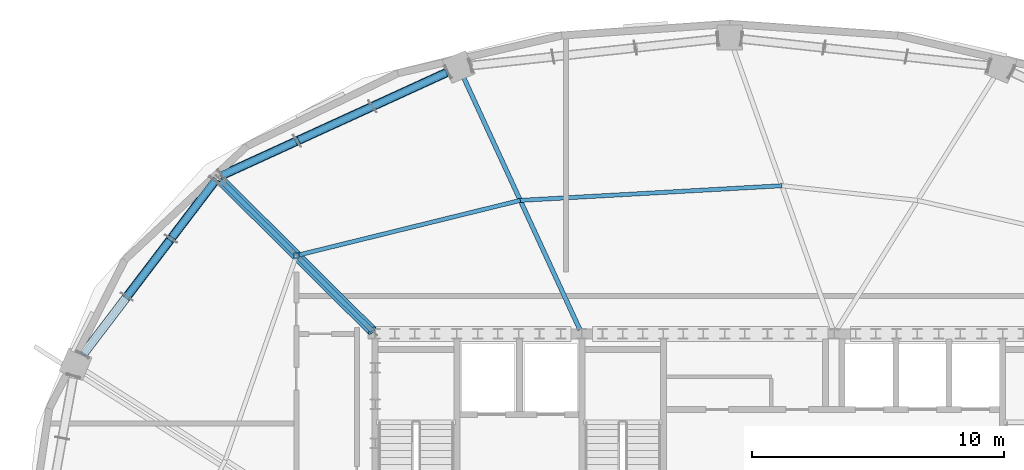
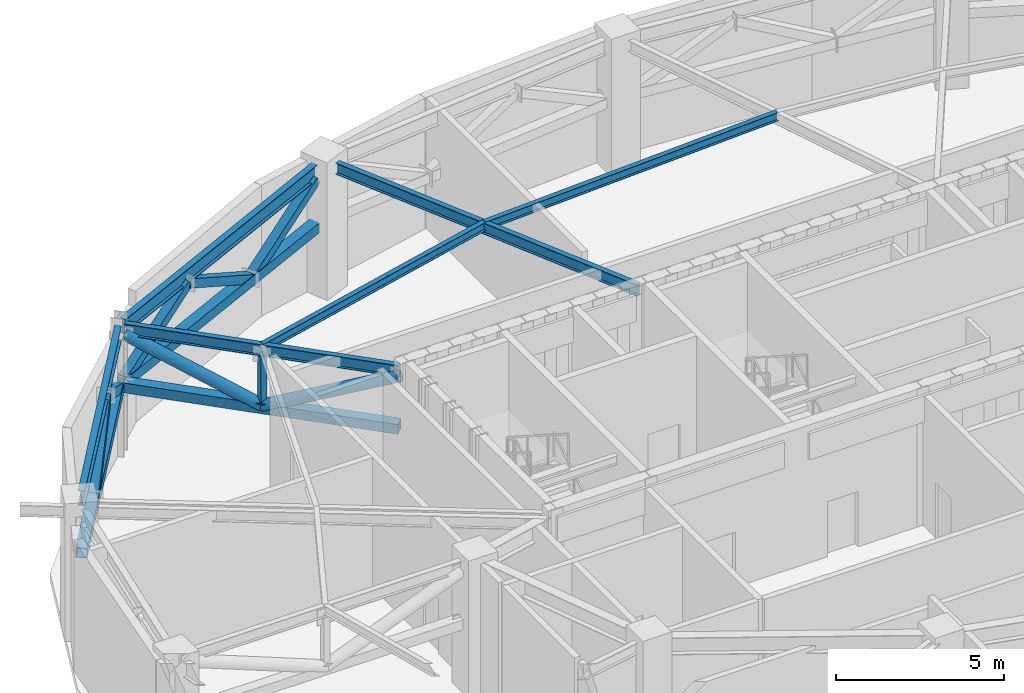
# One storey, part 6 of 20: 11 members, 6 beams.
"""IFC4 building model written with IfcOpenShell, lengths in metres."""

from ifc_helpers import new_model, si_unit, direction, frame, origin, origin_2d, place, context, subcontext, project, spatial, hollow_rectangle, hollow_circle, i_section, extrude, material, material_profile, profile_set, type_object, element, save


model = new_model("IFC4")

# Units and contexts
model_context = context("Model", 3, precision=1e-05, world=origin(), true_north=direction((0.0, 1.0)))
body_context = subcontext(model_context, "Body", "Model", "MODEL_VIEW")
ifc_project = project(units=[si_unit("LENGTHUNIT", "METRE"), si_unit("AREAUNIT", "SQUARE_METRE"), si_unit("VOLUMEUNIT", "CUBIC_METRE"), si_unit("PLANEANGLEUNIT", "RADIAN"), si_unit("MASSUNIT", "GRAM", prefix="KILO")], contexts=[model_context])

# Site, building, storey
site_placement = place(None, origin())
site = spatial("IfcSite", under=ifc_project, at=site_placement, CompositionType="ELEMENT")
building_placement = place(site_placement, origin())
building = spatial("IfcBuilding", under=site, at=building_placement, Name="Haldorwick Loom Tower", CompositionType="ELEMENT")
storey_placement = place(building_placement, frame((0.0, 0.0, 222.10009765625)))
storey = spatial("IfcBuildingStorey", under=building, at=storey_placement, Name="L60", CompositionType="ELEMENT", Elevation=222.10009765625)

# Beams
ifc_material = material(Name="Steel CSA G40.21 350W", Category="steel")
ifc_material_profile_1 = material_profile(ifc_material, i_section(OverallWidth=0.166015625, OverallDepth=0.31298828125, WebThickness=0.006591796875, FlangeThickness=0.01123046875, at=origin_2d()), Name="W310X45", Category="steel")
ifc_profile_set_1 = profile_set([ifc_material_profile_1], Name="Steel CSA G40.21 350W")
beam_type_1 = type_object("IfcBeamType", Name="STR-BM-J310", PredefinedType="JOIST", material=ifc_profile_set_1)
beam_1_placement = place(storey_placement, frame((38.074951171875, 41.427490234375, 4.603515625), z_axis=(-0.998432354117, -0.05597172726, 0.0), x_axis=(0.05597172726, -0.998432354117, 0.0)))
element("IfcBeam", 1, at=beam_1_placement, inside=storey, type_object=beam_type_1, Name="L60 Mid-Bay Secondary Joist 5", PredefinedType="JOIST", context=body_context, shape_type="SweptSolid", body=[
    extrude(i_section(OverallWidth=0.166015625, OverallDepth=0.31298828125, WebThickness=0.006591796875, FlangeThickness=0.01123046875, at=origin_2d()), origin(), (0.0, 0.0, 1.0), 10.403076171875),
])
beam_2_placement = place(storey_placement, frame((27.688232421875, 40.84521484375, 4.603515625), z_axis=(-0.970979703726, -0.239161901132, 0.0), x_axis=(0.239161901132, -0.970979703726, 0.0)))
element("IfcBeam", 2, at=beam_2_placement, inside=storey, type_object=beam_type_1, Name="L60 Mid-Bay Secondary Joist 6", PredefinedType="JOIST", context=body_context, shape_type="SweptSolid", body=[
    extrude(i_section(OverallWidth=0.166015625, OverallDepth=0.31298828125, WebThickness=0.006591796875, FlangeThickness=0.01123046875, at=origin_2d()), origin(), (0.0, 0.0, 1.0), 9.1474609375),
])
ifc_material_profile_2 = material_profile(ifc_material, i_section(OverallWidth=0.179931640625, OverallDepth=0.4130859375, WebThickness=0.009765625, FlangeThickness=0.01611328125, at=origin_2d()), Name="W410X74", Category="steel")
ifc_profile_set_2 = profile_set([ifc_material_profile_2], Name="Steel CSA G40.21 350W")
beam_type_2 = type_object("IfcBeamType", Name="STR-BM-J410", PredefinedType="JOIST", material=ifc_profile_set_2)
beam_3_placement = place(storey_placement, frame((30.055419921875, 35.711669921875, 4.553466796875), z_axis=(-0.418729078283, 0.908111204094, 0.0), x_axis=(-0.908111204094, -0.418729078283, 0.0)))
element("IfcBeam", 3, at=beam_3_placement, inside=storey, type_object=beam_type_2, Name="L60 Radial Floor Girder 6", PredefinedType="JOIST", context=body_context, shape_type="SweptSolid", body=[
    extrude(i_section(OverallWidth=0.179931640625, OverallDepth=0.4130859375, WebThickness=0.009765625, FlangeThickness=0.01611328125, at=origin_2d()), origin(), (0.0, 0.0, 1.0), 11.00927734375),
])
beam_4_placement = place(storey_placement, frame((21.8037109375, 35.675537109375, 4.553466796875), z_axis=(-0.708952100153, 0.70525663392, 0.0), x_axis=(-0.70525663392, -0.708952100153, 0.0)))
element("IfcBeam", 4, at=beam_4_placement, inside=storey, type_object=beam_type_2, Name="L60 Radial Floor Girder 7", PredefinedType="JOIST", context=body_context, shape_type="SweptSolid", body=[
    extrude(i_section(OverallWidth=0.179931640625, OverallDepth=0.4130859375, WebThickness=0.009765625, FlangeThickness=0.01611328125, at=origin_2d()), origin(), (0.0, 0.0, 1.0), 8.456298828125),
])
ifc_material_profile_3 = material_profile(ifc_material, i_section(OverallWidth=0.2119140625, OverallDepth=0.5439453125, WebThickness=0.01318359375, FlangeThickness=0.021240234375, at=origin_2d()), Name="W530X123", Category="steel")
ifc_profile_set_3 = profile_set([ifc_material_profile_3], Name="Steel CSA G40.21 350W")
beam_type_3 = type_object("IfcBeamType", Name="STR-BM-SP530", PredefinedType="SPANDREL", material=ifc_profile_set_3)
beam_5_placement = place(storey_placement, frame((24.814697265625, 45.943115234375, 4.48779296875), z_axis=(-0.909350907904, -0.41602995841, 0.0), x_axis=(0.41602995841, -0.909350907904, 0.0)))
element("IfcBeam", 5, at=beam_5_placement, inside=storey, type_object=beam_type_3, Name="L60 Perimeter Spandrel 6", PredefinedType="SPANDREL", context=body_context, shape_type="SweptSolid", body=[
    extrude(i_section(OverallWidth=0.2119140625, OverallDepth=0.5439453125, WebThickness=0.01318359375, FlangeThickness=0.021240234375, at=origin_2d()), origin(), (0.0, 0.0, 1.0), 9.86474609375),
])
beam_6_placement = place(storey_placement, frame((15.57470703125, 41.623291015625, 4.48779296875), z_axis=(-0.605253156055, -0.796033050247, 0.0), x_axis=(0.796033050247, -0.605253156055, 0.0)))
element("IfcBeam", 6, at=beam_6_placement, inside=storey, type_object=beam_type_3, Name="L60 Perimeter Spandrel 7", PredefinedType="SPANDREL", context=body_context, shape_type="SweptSolid", body=[
    extrude(i_section(OverallWidth=0.2119140625, OverallDepth=0.5439453125, WebThickness=0.01318359375, FlangeThickness=0.021240234375, at=origin_2d()), origin(), (0.0, 0.0, 1.0), 8.671142578125),
])

# Members
ifc_material_profile_4 = material_profile(ifc_material, hollow_rectangle(XDim=0.3046875, YDim=0.3046875, WallThickness=0.0126953125, at=origin_2d()), Name="HSS305X305X13", Category="steel")
ifc_profile_set_4 = profile_set([ifc_material_profile_4], Name="Steel CSA G40.21 350W")
member_type_1 = type_object("IfcMemberType", Name="STR-MEM-BR305", PredefinedType="BRACE", material=ifc_profile_set_4)
member_1_placement = place(storey_placement, frame((24.814697265625, 45.943115234375, 4.2158203125), z_axis=(-0.806188926481, -0.368866977792, -0.462597630251), x_axis=(0.416061524611, -0.909336465638, 0.0)))
element("IfcMember", 7, at=member_1_placement, inside=storey, type_object=member_type_1, Name="L60 Perimeter Belt Truss Web Diagonal 6-1", PredefinedType="BRACE", context=body_context, shape_type="SweptSolid", body=[
    extrude(hollow_rectangle(XDim=0.3046875, YDim=0.3046875, WallThickness=0.0126953125, at=origin_2d()), origin(), (0.0, 0.0, 1.0), 3.708984375),
])
member_2_placement = place(storey_placement, frame((21.824462890625, 44.574951171875, 2.5), z_axis=(-0.80618545743, -0.368829682206, 0.462633411841), x_axis=(0.416028218842, -0.909351703758, 0.0)))
element("IfcMember", 8, at=member_2_placement, inside=storey, type_object=member_type_1, Name="L60 Perimeter Belt Truss Web Diagonal 6-2", PredefinedType="BRACE", context=body_context, shape_type="SweptSolid", body=[
    extrude(hollow_rectangle(XDim=0.3046875, YDim=0.3046875, WallThickness=0.0126953125, at=origin_2d()), origin(), (0.0, 0.0, 1.0), 3.708740234375),
])
member_3_placement = place(storey_placement, frame((18.83447265625, 43.20703125, 4.2158203125), z_axis=(-0.806208499388, -0.368810109575, -0.46260886134), x_axis=(0.41600013021, -0.909364553777, 0.0)))
element("IfcMember", 9, at=member_3_placement, inside=storey, type_object=member_type_1, Name="L60 Perimeter Belt Truss Web Diagonal 6-3", PredefinedType="BRACE", context=body_context, shape_type="SweptSolid", body=[
    extrude(hollow_rectangle(XDim=0.3046875, YDim=0.3046875, WallThickness=0.0126953125, at=origin_2d()), origin(), (0.0, 0.0, 1.0), 3.708984375),
])
member_4_placement = place(storey_placement, frame((15.57470703125, 41.623291015625, 2.5), z_axis=(-0.520458746715, -0.684527447362, 0.510435957566), x_axis=(0.796040112814, -0.605243867207, 0.0)))
element("IfcMember", 10, at=member_4_placement, inside=storey, type_object=member_type_1, Name="L60 Perimeter Belt Truss Web Diagonal 7-1", PredefinedType="BRACE", context=body_context, shape_type="SweptSolid", body=[
    extrude(hollow_rectangle(XDim=0.3046875, YDim=0.3046875, WallThickness=0.0126953125, at=origin_2d()), origin(), (0.0, 0.0, 1.0), 3.361572265625),
])
member_5_placement = place(storey_placement, frame((13.8251953125, 39.322265625, 4.2158203125), z_axis=(-0.520431663586, -0.684514724024, -0.510480632475), x_axis=(0.796049867215, -0.605231037627, 0.0)))
element("IfcMember", 11, at=member_5_placement, inside=storey, type_object=member_type_1, Name="L60 Perimeter Belt Truss Web Diagonal 7-2", PredefinedType="BRACE", context=body_context, shape_type="SweptSolid", body=[
    extrude(hollow_rectangle(XDim=0.3046875, YDim=0.3046875, WallThickness=0.0126953125, at=origin_2d()), origin(), (0.0, 0.0, 1.0), 3.361083984375),
])
ifc_material_profile_5 = material_profile(ifc_material, hollow_circle(Radius=0.203125, WallThickness=0.0126953125, at=origin_2d()), Name="HSS406X13", Category="steel")
ifc_profile_set_5 = profile_set([ifc_material_profile_5], Name="Steel CSA G40.21 350W")
member_type_2 = type_object("IfcMemberType", Name="STR-MEM-BR406C", PredefinedType="BRACE", material=ifc_profile_set_5)
for number, where, z_axis, x_axis, name in (
    (12, (21.8037109375, 35.675537109375, 4.346923828125), (-0.649674822532, 0.646288343574, -0.400292395541), (-0.70525663392, -0.708952100153, 0.0), "L60 Outrigger OT-NW Inner Diagonal"),
    (13, (18.80615234375, 38.657470703125, 2.5), (-0.649674822532, 0.646288343574, 0.400292395541), (-0.70525663392, -0.708952100153, 0.0), "L60 Outrigger OT-NW Outer Diagonal"),
):
    element("IfcMember", number, at=place(storey_placement, frame(where, z_axis=z_axis, x_axis=x_axis)), inside=storey, type_object=member_type_2, Name=name, PredefinedType="BRACE", context=body_context, shape_type="SweptSolid", body=[
        extrude(hollow_circle(Radius=0.203125, WallThickness=0.0126953125, at=origin_2d()), origin(), (0.0, 0.0, 1.0), 4.614013671875),
    ])
ifc_material_profile_6 = material_profile(ifc_material, hollow_rectangle(XDim=0.355712890625, YDim=0.355712890625, WallThickness=0.015869140625, at=origin_2d()), Name="HSS356X356X16", Category="steel")
ifc_profile_set_6 = profile_set([ifc_material_profile_6], Name="Steel CSA G40.21 350W")
member_type_3 = type_object("IfcMemberType", Name="STR-MEM-CH356", PredefinedType="CHORD", material=ifc_profile_set_6)
member_6_placement = place(storey_placement, frame((24.814697265625, 45.943115234375, 2.5), z_axis=(-0.909350907904, -0.41602995841, 0.0), x_axis=(0.41602995841, -0.909350907904, 0.0)))
element("IfcMember", 14, at=member_6_placement, inside=storey, type_object=member_type_3, Name="L60 Perimeter Belt Truss Bottom Chord 6", PredefinedType="CHORD", context=body_context, shape_type="SweptSolid", body=[
    extrude(hollow_rectangle(XDim=0.355712890625, YDim=0.355712890625, WallThickness=0.015869140625, at=origin_2d()), origin(), (0.0, 0.0, 1.0), 9.86474609375),
])
member_7_placement = place(storey_placement, frame((15.57470703125, 41.623291015625, 2.5), z_axis=(-0.605253156055, -0.796033050247, 0.0), x_axis=(0.796033050247, -0.605253156055, 0.0)))
element("IfcMember", 15, at=member_7_placement, inside=storey, type_object=member_type_3, Name="L60 Perimeter Belt Truss Bottom Chord 7", PredefinedType="CHORD", context=body_context, shape_type="SweptSolid", body=[
    extrude(hollow_rectangle(XDim=0.355712890625, YDim=0.355712890625, WallThickness=0.015869140625, at=origin_2d()), origin(), (0.0, 0.0, 1.0), 8.671142578125),
])
member_8_placement = place(storey_placement, frame((21.8037109375, 35.675537109375, 2.5), z_axis=(-0.708952100153, 0.70525663392, 0.0), x_axis=(-0.70525663392, -0.708952100153, 0.0)))
element("IfcMember", 16, at=member_8_placement, inside=storey, type_object=member_type_3, Name="L60 Outrigger OT-NW Bottom Chord", PredefinedType="CHORD", context=body_context, shape_type="SweptSolid", body=[
    extrude(hollow_rectangle(XDim=0.355712890625, YDim=0.355712890625, WallThickness=0.015869140625, at=origin_2d()), origin(), (0.0, 0.0, 1.0), 8.456298828125),
])
ifc_material_profile_7 = material_profile(ifc_material, hollow_rectangle(XDim=0.203125, YDim=0.203125, WallThickness=0.009521484375, at=origin_2d()), Name="HSS203X203X10", Category="steel")
ifc_profile_set_7 = profile_set([ifc_material_profile_7], Name="Steel CSA G40.21 350W")
member_type_4 = type_object("IfcMemberType", Name="STR-MEM-ST203", PredefinedType="STRUT", material=ifc_profile_set_7)
member_9_placement = place(storey_placement, frame((18.80615234375, 38.657470703125, 2.5), z_axis=(0.0, 0.0, 1.0), x_axis=(1.0, 0.0, 0.0)))
element("IfcMember", 17, at=member_9_placement, inside=storey, type_object=member_type_4, Name="L60 Outrigger OT-NW Mid Post", PredefinedType="STRUT", context=body_context, shape_type="SweptSolid", body=[
    extrude(hollow_rectangle(XDim=0.203125, YDim=0.203125, WallThickness=0.009521484375, at=origin_2d()), origin(), (0.0, 0.0, 1.0), 1.846923828125),
])

save(model, "model.ifc")
